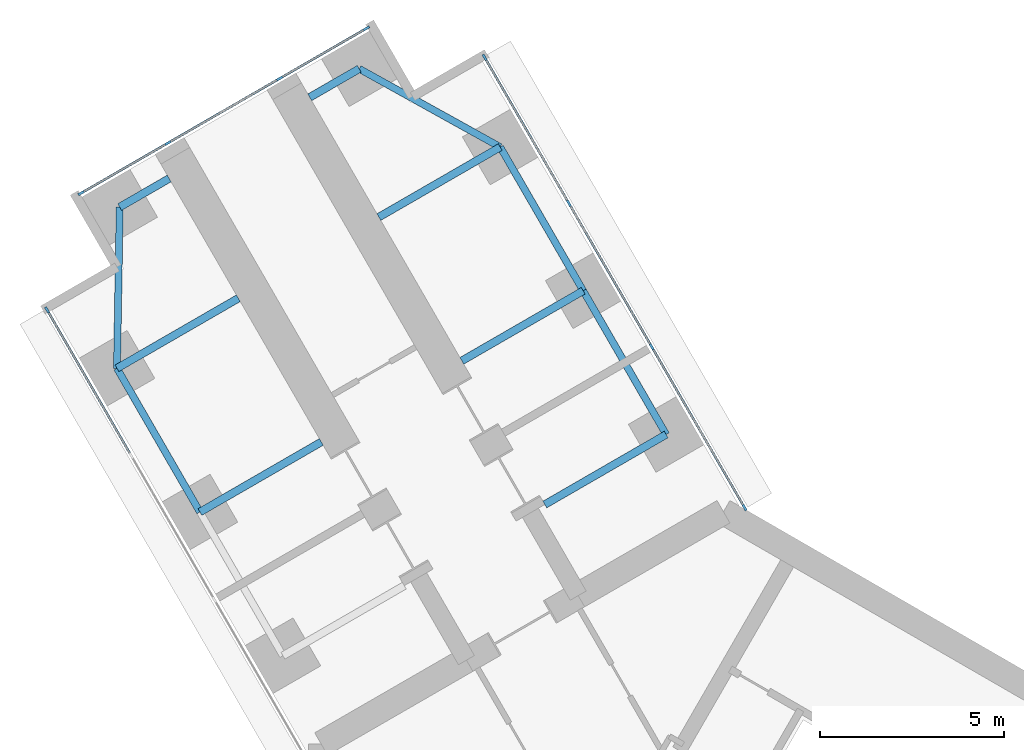
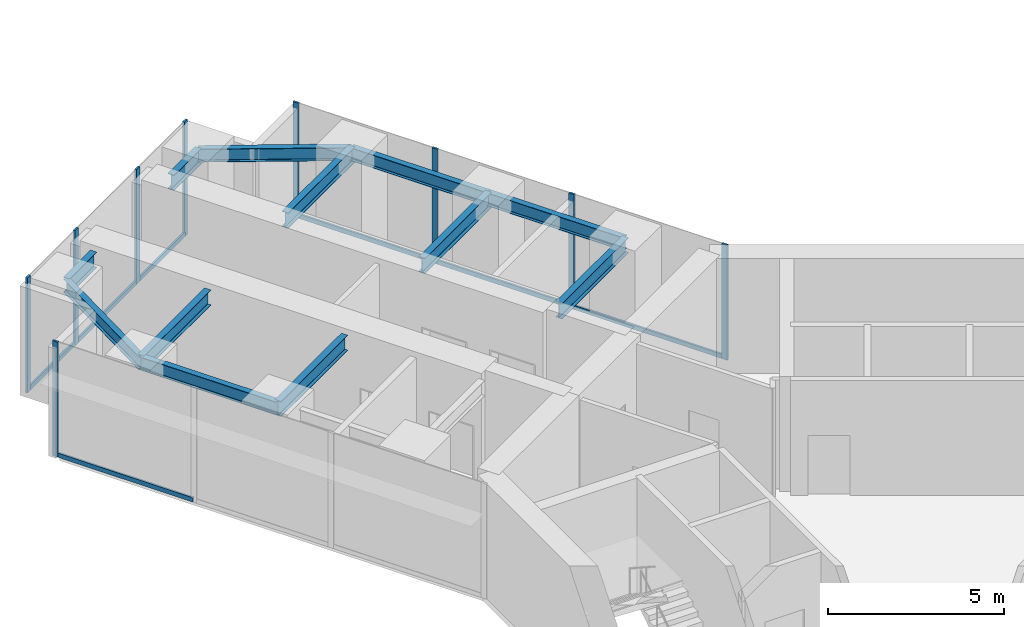
# One storey, part 7 of 23: 16 members, 12 beams, 3 elements without a shape of their own.
"""IFC4 building model written with IfcOpenShell, lengths in metres."""

from ifc_helpers import new_model, si_unit, direction, frame, origin, origin_2d, place, context, subcontext, project, spatial, rectangle, i_section, extrude, material, material_profile, profile_set, type_object, element, aggregate, save


model = new_model("IFC4")

# Units and contexts
model_context = context("Model", 3, precision=1e-05, world=origin(), true_north=direction((0.0, 1.0)))
body_context = subcontext(model_context, "Body", "Model", "MODEL_VIEW")
ifc_project = project(units=[si_unit("LENGTHUNIT", "METRE"), si_unit("AREAUNIT", "SQUARE_METRE"), si_unit("VOLUMEUNIT", "CUBIC_METRE"), si_unit("PLANEANGLEUNIT", "RADIAN"), si_unit("MASSUNIT", "GRAM", prefix="KILO")], contexts=[model_context])

# Site, building, storey
site_placement = place(None, origin())
site = spatial("IfcSite", under=ifc_project, at=site_placement, CompositionType="ELEMENT")
building_placement = place(site_placement, origin())
building = spatial("IfcBuilding", under=site, at=building_placement, Name="Upepo Twin Towers", CompositionType="ELEMENT")
storey_placement = place(building_placement, frame((0.0, 0.0, 24.5)))
storey = spatial("IfcBuildingStorey", under=building, at=storey_placement, Name="L05", CompositionType="ELEMENT", Elevation=24.5)

# Beams
ifc_material_1 = material(Name="Steel S355", Category="steel")
ifc_material_profile_1 = material_profile(ifc_material_1, i_section(OverallWidth=0.1904296875, OverallDepth=0.45703125, WebThickness=0.009033203125, FlangeThickness=0.014404296875, FilletRadius=0.01025390625, at=origin_2d()), Name="UB 457x191x74")
ifc_profile_set_1 = profile_set([ifc_material_profile_1], Name="Steel S355")
beam_type_1 = type_object("IfcBeamType", Name="Beam UB 457x191x74", PredefinedType="BEAM", material=ifc_profile_set_1)
beam_1_placement = place(storey_placement, frame((-14.196044921875, 12.58837890625, 3.571533203125), z_axis=(-0.499990139034, 0.866031096941, 0.0), x_axis=(-0.866031096941, -0.499990139034, 0.0)))
element("IfcBeam", 1, at=beam_1_placement, inside=storey, type_object=beam_type_1, Name="T1 edge beam BL 18.0-22.5", PredefinedType="BEAM", context=body_context, shape_type="SweptSolid", body=[
    extrude(i_section(OverallWidth=0.1904296875, OverallDepth=0.45703125, WebThickness=0.009033203125, FlangeThickness=0.014404296875, FilletRadius=0.01025390625, at=origin_2d()), origin(), (0.0, 0.0, 1.0), 4.5),
])
beam_2_placement = place(storey_placement, frame((-16.446044921875, 16.485595703125, 3.571533203125), z_axis=(0.016803880528, 0.999858804832, 0.0), x_axis=(-0.999858804832, 0.016803880528, 0.0)))
element("IfcBeam", 2, at=beam_2_placement, inside=storey, type_object=beam_type_1, Name="T1 nose edge beam BL", PredefinedType="BEAM", context=body_context, shape_type="SweptSolid", body=[
    extrude(i_section(OverallWidth=0.1904296875, OverallDepth=0.45703125, WebThickness=0.009033203125, FlangeThickness=0.014404296875, FilletRadius=0.01025390625, at=origin_2d()), origin(), (0.0, 0.0, 1.0), 4.373291015625),
])
beam_3_placement = place(storey_placement, frame((-1.553955078125, 14.69140625, 3.571533203125), z_axis=(-0.500013631625, 0.866017533419, 0.0), x_axis=(-0.866017533419, -0.500013631625, 0.0)))
element("IfcBeam", 3, at=beam_3_placement, inside=storey, type_object=beam_type_1, Name="T1 edge beam BR 13.5-18.0", PredefinedType="BEAM", context=body_context, shape_type="SweptSolid", body=[
    extrude(i_section(OverallWidth=0.1904296875, OverallDepth=0.45703125, WebThickness=0.009033203125, FlangeThickness=0.014404296875, FilletRadius=0.01025390625, at=origin_2d()), origin(), (0.0, 0.0, 1.0), 4.499755859375),
])
beam_4_placement = place(storey_placement, frame((-3.803955078125, 18.58837890625, 3.571533203125), z_axis=(-0.499990139034, 0.866031096941, 0.0), x_axis=(-0.866031096941, -0.499990139034, 0.0)))
element("IfcBeam", 4, at=beam_4_placement, inside=storey, type_object=beam_type_1, Name="T1 edge beam BR 18.0-22.5", PredefinedType="BEAM", context=body_context, shape_type="SweptSolid", body=[
    extrude(i_section(OverallWidth=0.1904296875, OverallDepth=0.45703125, WebThickness=0.009033203125, FlangeThickness=0.014404296875, FilletRadius=0.01025390625, at=origin_2d()), origin(), (0.0, 0.0, 1.0), 4.5),
])
beam_5_placement = place(storey_placement, frame((-6.053955078125, 22.485595703125, 3.571533203125), z_axis=(-0.874312600038, 0.485363242752, 0.0), x_axis=(-0.485363242752, -0.874312600038, 0.0)))
element("IfcBeam", 5, at=beam_5_placement, inside=storey, type_object=beam_type_1, Name="T1 nose edge beam BR", PredefinedType="BEAM", context=body_context, shape_type="SweptSolid", body=[
    extrude(i_section(OverallWidth=0.1904296875, OverallDepth=0.45703125, WebThickness=0.009033203125, FlangeThickness=0.014404296875, FilletRadius=0.01025390625, at=origin_2d()), origin(), (0.0, 0.0, 1.0), 4.373046875),
])
ifc_material_2 = material(Name="Steel S355", Category="steel")
ifc_material_profile_2 = material_profile(ifc_material_2, i_section(OverallWidth=0.2099609375, OverallDepth=0.53662109375, WebThickness=0.0107421875, FlangeThickness=0.017333984375, FilletRadius=0.0126953125, at=origin_2d()), Name="UB 533x210x101")
ifc_profile_set_2 = profile_set([ifc_material_profile_2], Name="Steel S355")
beam_type_2 = type_object("IfcBeamType", Name="Beam UB 533x210x101", PredefinedType="BEAM", material=ifc_profile_set_2)
for number, where, z_axis, x_axis, name in (
    (6, (-16.37255859375, 20.858154296875, 3.53173828125), (0.866043940782, 0.499967891604, 0.0), (-0.499967891604, 0.866043940782, 0.0), "T1 nose beam BL"),
    (7, (-9.87744140625, 24.608154296875, 3.53173828125), (-0.866043940782, -0.499967891604, 0.0), (0.499967891604, -0.866043940782, 0.0), "T1 nose beam BR"),
):
    element("IfcBeam", number, at=place(storey_placement, frame(where, z_axis=z_axis, x_axis=x_axis)), inside=storey, type_object=beam_type_2, Name=name, PredefinedType="BEAM", context=body_context, shape_type="SweptSolid", body=[
        extrude(i_section(OverallWidth=0.2099609375, OverallDepth=0.53662109375, WebThickness=0.0107421875, FlangeThickness=0.017333984375, FilletRadius=0.0126953125, at=origin_2d()), origin(), (0.0, 0.0, 1.0), 1.5498046875),
    ])
ifc_material_3 = material(Name="Steel S355", Category="steel")
ifc_material_profile_3 = material_profile(ifc_material_3, i_section(OverallWidth=0.209228515625, OverallDepth=0.533203125, WebThickness=0.010009765625, FlangeThickness=0.015625, FilletRadius=0.0126953125, at=origin_2d()), Name="UB 533x210x92")
ifc_profile_set_3 = profile_set([ifc_material_profile_3], Name="Steel S355")
beam_type_3 = type_object("IfcBeamType", Name="Beam UB 533x210x92", PredefinedType="BEAM", material=ifc_profile_set_3)
beam_6_placement = place(storey_placement, frame((-14.196044921875, 12.58837890625, 3.533447265625), z_axis=(0.866000483506, 0.500043160704, 0.0), x_axis=(-0.500043160704, 0.866000483506, 0.0)))
element("IfcBeam", 8, at=beam_6_placement, inside=storey, type_object=beam_type_3, Name="T1 girder BL at 18.0", PredefinedType="BEAM", context=body_context, shape_type="SweptSolid", body=[
    extrude(i_section(OverallWidth=0.209228515625, OverallDepth=0.533203125, WebThickness=0.010009765625, FlangeThickness=0.015625, FilletRadius=0.0126953125, at=origin_2d()), origin(), (0.0, 0.0, 1.0), 3.800048828125),
])
beam_7_placement = place(storey_placement, frame((-16.446044921875, 16.485595703125, 3.533447265625), z_axis=(0.866028304915, 0.499994975061, 0.0), x_axis=(-0.499994975061, 0.866028304915, 0.0)))
element("IfcBeam", 9, at=beam_7_placement, inside=storey, type_object=beam_type_3, Name="T1 girder BL at 22.5", PredefinedType="BEAM", context=body_context, shape_type="SweptSolid", body=[
    extrude(i_section(OverallWidth=0.209228515625, OverallDepth=0.533203125, WebThickness=0.010009765625, FlangeThickness=0.015625, FilletRadius=0.0126953125, at=origin_2d()), origin(), (0.0, 0.0, 1.0), 3.7998046875),
])
beam_8_placement = place(storey_placement, frame((-1.553955078125, 14.69140625, 3.533447265625), z_axis=(-0.866000483506, -0.500043160704, 0.0), x_axis=(0.500043160704, -0.866000483506, 0.0)))
element("IfcBeam", 10, at=beam_8_placement, inside=storey, type_object=beam_type_3, Name="T1 girder BR at 13.5", PredefinedType="BEAM", context=body_context, shape_type="SweptSolid", body=[
    extrude(i_section(OverallWidth=0.209228515625, OverallDepth=0.533203125, WebThickness=0.010009765625, FlangeThickness=0.015625, FilletRadius=0.0126953125, at=origin_2d()), origin(), (0.0, 0.0, 1.0), 3.800048828125),
])
for number, where, z_axis, x_axis, name in (
    (11, (-3.803955078125, 18.58837890625, 3.533447265625), (-0.866028304915, -0.499994975061, 0.0), (0.499994975061, -0.866028304915, 0.0), "T1 girder BR at 18.0"),
    (12, (-6.053955078125, 22.485595703125, 3.533447265625), (-0.866028304915, -0.499994975061, 0.0), (0.499994975061, -0.866028304915, 0.0), "T1 girder BR at 22.5"),
):
    element("IfcBeam", number, at=place(storey_placement, frame(where, z_axis=z_axis, x_axis=x_axis)), inside=storey, type_object=beam_type_3, Name=name, PredefinedType="BEAM", context=body_context, shape_type="SweptSolid", body=[
        extrude(i_section(OverallWidth=0.209228515625, OverallDepth=0.533203125, WebThickness=0.010009765625, FlangeThickness=0.015625, FilletRadius=0.0126953125, at=origin_2d()), origin(), (0.0, 0.0, 1.0), 3.7998046875),
    ])

# Curtain wall, member
ifc_material_4 = material(Name="Aluminium and fritted glass", Category="aluminium")
curtain_wall_type = type_object("IfcCurtainWallType", Name="Tower curtain wall TW1, fritted glass", PredefinedType="NOTDEFINED", material=ifc_material_4)
curtain_wall_1_placement = place(storey_placement, origin())
curtain_wall_1 = element("IfcCurtainWall", 13, at=curtain_wall_1_placement, inside=storey, type_object=curtain_wall_type, Name="T1 L05 wing B flank L curtain wall", PredefinedType="NOTDEFINED")
ifc_material_5 = material(Name="Aluminium mullion", Category="aluminium")
ifc_material_profile_4 = material_profile(ifc_material_5, rectangle(XDim=0.06494140625, YDim=0.179931640625, at=origin_2d()), Name="MULLION 65x180")
ifc_profile_set_4 = profile_set([ifc_material_profile_4], Name="Aluminium mullion")
member_type_1 = type_object("IfcMemberType", Name="Mullion 65x180 TW1", PredefinedType="MULLION", material=ifc_profile_set_4)
member_1_placement = place(storey_placement, frame((-18.341064453125, 18.067626953125, 0.0), z_axis=(0.0, 0.0, 1.0), x_axis=(-0.866025389682, -0.500000024426, 0.0)))
member_1 = element("IfcMember", 14, at=member_1_placement, type_object=member_type_1, Name="T1 L05 wing B flank L curtain wall mullion 4", PredefinedType="MULLION", context=body_context, shape_type="SweptSolid", body=[
    extrude(rectangle(XDim=0.06494140625, YDim=0.179931640625, at=origin_2d()), origin(), (0.0, 0.0, 1.0), 4.0),
])

# Curtain wall, members
curtain_wall_2_placement = place(storey_placement, origin())
curtain_wall_2 = element("IfcCurtainWall", 15, at=curtain_wall_2_placement, inside=storey, type_object=curtain_wall_type, Name="T1 L05 wing B flank R curtain wall", PredefinedType="NOTDEFINED")
member_2_placement = place(storey_placement, frame((-6.4765625, 24.91748046875, 0.0), z_axis=(0.0, 0.0, 1.0), x_axis=(0.866025389682, 0.500000024426, 0.0)))
member_2 = element("IfcMember", 16, at=member_2_placement, type_object=member_type_1, Name="T1 L05 wing B flank R curtain wall mullion 1", PredefinedType="MULLION", context=body_context, shape_type="SweptSolid", body=[
    extrude(rectangle(XDim=0.06494140625, YDim=0.179931640625, at=origin_2d()), origin(), (0.0, 0.0, 1.0), 4.0),
])
member_3_placement = place(storey_placement, frame((-4.192626953125, 20.9619140625, 0.0), z_axis=(0.0, 0.0, 1.0), x_axis=(0.866025389682, 0.500000024426, 0.0)))
member_3 = element("IfcMember", 17, at=member_3_placement, type_object=member_type_1, Name="T1 L05 wing B flank R curtain wall mullion 2", PredefinedType="MULLION", context=body_context, shape_type="SweptSolid", body=[
    extrude(rectangle(XDim=0.06494140625, YDim=0.179931640625, at=origin_2d()), origin(), (0.0, 0.0, 1.0), 4.0),
])
member_4_placement = place(storey_placement, frame((-1.942626953125, 17.06494140625, 0.0), z_axis=(0.0, 0.0, 1.0), x_axis=(0.866025389682, 0.500000024426, 0.0)))
member_4 = element("IfcMember", 18, at=member_4_placement, type_object=member_type_1, Name="T1 L05 wing B flank R curtain wall mullion 3", PredefinedType="MULLION", context=body_context, shape_type="SweptSolid", body=[
    extrude(rectangle(XDim=0.06494140625, YDim=0.179931640625, at=origin_2d()), origin(), (0.0, 0.0, 1.0), 4.0),
])
member_5_placement = place(storey_placement, frame((0.572509765625, 12.70849609375, 0.0), z_axis=(0.0, 0.0, 1.0), x_axis=(0.866025389682, 0.500000024426, 0.0)))
member_5 = element("IfcMember", 19, at=member_5_placement, type_object=member_type_1, Name="T1 L05 wing B flank R curtain wall mullion 4", PredefinedType="MULLION", context=body_context, shape_type="SweptSolid", body=[
    extrude(rectangle(XDim=0.06494140625, YDim=0.179931640625, at=origin_2d()), origin(), (0.0, 0.0, 1.0), 4.0),
])

curtain_wall_3_placement = place(storey_placement, origin())
curtain_wall_3 = element("IfcCurtainWall", 20, at=curtain_wall_3_placement, inside=storey, type_object=curtain_wall_type, Name="T1 L05 wing B nose curtain wall", PredefinedType="NOTDEFINED")
member_6_placement = place(storey_placement, frame((-9.68115234375, 25.703125, 0.0), z_axis=(0.0, 0.0, 1.0), x_axis=(0.500000030502, -0.866025386174, 0.0)))
member_6 = element("IfcMember", 21, at=member_6_placement, type_object=member_type_1, Name="T1 L05 wing B nose curtain wall mullion 1", PredefinedType="MULLION", context=body_context, shape_type="SweptSolid", body=[
    extrude(rectangle(XDim=0.06494140625, YDim=0.179931640625, at=origin_2d()), origin(), (0.0, 0.0, 1.0), 4.0),
])
member_7_placement = place(storey_placement, frame((-12.034423828125, 24.34423828125, 0.0), z_axis=(0.0, 0.0, 1.0), x_axis=(0.500000030502, -0.866025386174, 0.0)))
member_7 = element("IfcMember", 22, at=member_7_placement, type_object=member_type_1, Name="T1 L05 wing B nose curtain wall mullion 2", PredefinedType="MULLION", context=body_context, shape_type="SweptSolid", body=[
    extrude(rectangle(XDim=0.06494140625, YDim=0.179931640625, at=origin_2d()), origin(), (0.0, 0.0, 1.0), 4.0),
])
member_8_placement = place(storey_placement, frame((-15.0654296875, 22.59423828125, 0.0), z_axis=(0.0, 0.0, 1.0), x_axis=(0.500000030502, -0.866025386174, 0.0)))
member_8 = element("IfcMember", 23, at=member_8_placement, type_object=member_type_1, Name="T1 L05 wing B nose curtain wall mullion 3", PredefinedType="MULLION", context=body_context, shape_type="SweptSolid", body=[
    extrude(rectangle(XDim=0.06494140625, YDim=0.179931640625, at=origin_2d()), origin(), (0.0, 0.0, 1.0), 4.0),
])
member_9_placement = place(storey_placement, frame((-17.4189453125, 21.235595703125, 0.0), z_axis=(0.0, 0.0, 1.0), x_axis=(0.500000030502, -0.866025386174, 0.0)))
member_9 = element("IfcMember", 24, at=member_9_placement, type_object=member_type_1, Name="T1 L05 wing B nose curtain wall mullion 4", PredefinedType="MULLION", context=body_context, shape_type="SweptSolid", body=[
    extrude(rectangle(XDim=0.06494140625, YDim=0.179931640625, at=origin_2d()), origin(), (0.0, 0.0, 1.0), 4.0),
])

# Member
ifc_material_6 = material(Name="Aluminium transom", Category="aluminium")
ifc_material_profile_5 = material_profile(ifc_material_6, rectangle(XDim=0.06494140625, YDim=0.14990234375, at=origin_2d()), Name="TRANSOM 65x150")
ifc_profile_set_5 = profile_set([ifc_material_profile_5], Name="Aluminium transom")
member_type_2 = type_object("IfcMemberType", Name="Transom 65x150 TW1", PredefinedType="USERDEFINED", material=ifc_profile_set_5)
member_10_placement = place(storey_placement, frame((-16.073486328125, 14.14013671875, 0.074951171875), z_axis=(-0.499982167615, 0.866035699072, 0.0), x_axis=(-0.866035699072, -0.499982167615, 0.0)))
member_10 = element("IfcMember", 25, at=member_10_placement, type_object=member_type_2, Name="T1 L05 wing B flank L curtain wall transom 3", ObjectType="TRANSOM", PredefinedType="USERDEFINED", context=body_context, shape_type="SweptSolid", body=[
    extrude(rectangle(XDim=0.06494140625, YDim=0.14990234375, at=origin_2d()), origin(), (0.0, 0.0, 1.0), 4.502685546875),
])

aggregate(curtain_wall_1, [member_1, member_10])

member_11_placement = place(storey_placement, frame((-6.460205078125, 24.889404296875, 0.074951171875), z_axis=(0.500005646842, -0.866022143554, 0.0), x_axis=(0.866022143554, 0.500005646842, 0.0)))
member_11 = element("IfcMember", 26, at=member_11_placement, type_object=member_type_2, Name="T1 L05 wing B flank R curtain wall transom 1", ObjectType="TRANSOM", PredefinedType="USERDEFINED", context=body_context, shape_type="SweptSolid", body=[
    extrude(rectangle(XDim=0.06494140625, YDim=0.14990234375, at=origin_2d()), origin(), (0.0, 0.0, 1.0), 4.50244140625),
])

member_12_placement = place(storey_placement, frame((-4.176513671875, 20.933837890625, 0.074951171875), z_axis=(0.500005184116, -0.866022410713, 0.0), x_axis=(0.866022410713, 0.500005184116, 0.0)))
member_12 = element("IfcMember", 27, at=member_12_placement, type_object=member_type_2, Name="T1 L05 wing B flank R curtain wall transom 2", ObjectType="TRANSOM", PredefinedType="USERDEFINED", context=body_context, shape_type="SweptSolid", body=[
    extrude(rectangle(XDim=0.06494140625, YDim=0.14990234375, at=origin_2d()), origin(), (0.0, 0.0, 1.0), 4.43505859375),
])

member_13_placement = place(storey_placement, frame((-1.926513671875, 17.036865234375, 0.074951171875), z_axis=(0.499983492876, -0.866034933967, 0.0), x_axis=(0.866034933967, 0.499983492876, 0.0)))
member_13 = element("IfcMember", 28, at=member_13_placement, type_object=member_type_2, Name="T1 L05 wing B flank R curtain wall transom 3", ObjectType="TRANSOM", PredefinedType="USERDEFINED", context=body_context, shape_type="SweptSolid", body=[
    extrude(rectangle(XDim=0.06494140625, YDim=0.14990234375, at=origin_2d()), origin(), (0.0, 0.0, 1.0), 4.965576171875),
])

aggregate(curtain_wall_2, [member_2, member_3, member_4, member_5, member_11, member_12, member_13])

member_14_placement = place(storey_placement, frame((-9.709228515625, 25.686767578125, 0.074951171875), z_axis=(-0.866036909293, -0.499980071345, 0.0), x_axis=(0.499980071345, -0.866036909293, 0.0)))
member_14 = element("IfcMember", 29, at=member_14_placement, type_object=member_type_2, Name="T1 L05 wing B nose curtain wall transom 1", ObjectType="TRANSOM", PredefinedType="USERDEFINED", context=body_context, shape_type="SweptSolid", body=[
    extrude(rectangle(XDim=0.06494140625, YDim=0.14990234375, at=origin_2d()), origin(), (0.0, 0.0, 1.0), 2.65234375),
])

member_15_placement = place(storey_placement, frame((-12.0625, 24.328125, 0.074951171875), z_axis=(-0.866025804792, -0.499999305434, 0.0), x_axis=(0.499999305434, -0.866025804792, 0.0)))
member_15 = element("IfcMember", 30, at=member_15_placement, type_object=member_type_2, Name="T1 L05 wing B nose curtain wall transom 2", ObjectType="TRANSOM", PredefinedType="USERDEFINED", context=body_context, shape_type="SweptSolid", body=[
    extrude(rectangle(XDim=0.06494140625, YDim=0.14990234375, at=origin_2d()), origin(), (0.0, 0.0, 1.0), 3.43505859375),
])

member_16_placement = place(storey_placement, frame((-15.09375, 22.578125, 0.074951171875), z_axis=(-0.865997053448, -0.500049101008, 0.0), x_axis=(0.500049101008, -0.865997053448, 0.0)))
member_16 = element("IfcMember", 31, at=member_16_placement, type_object=member_type_2, Name="T1 L05 wing B nose curtain wall transom 3", ObjectType="TRANSOM", PredefinedType="USERDEFINED", context=body_context, shape_type="SweptSolid", body=[
    extrude(rectangle(XDim=0.06494140625, YDim=0.14990234375, at=origin_2d()), origin(), (0.0, 0.0, 1.0), 2.652587890625),
])

aggregate(curtain_wall_3, [member_6, member_7, member_8, member_9, member_14, member_15, member_16])

save(model, "model.ifc")
